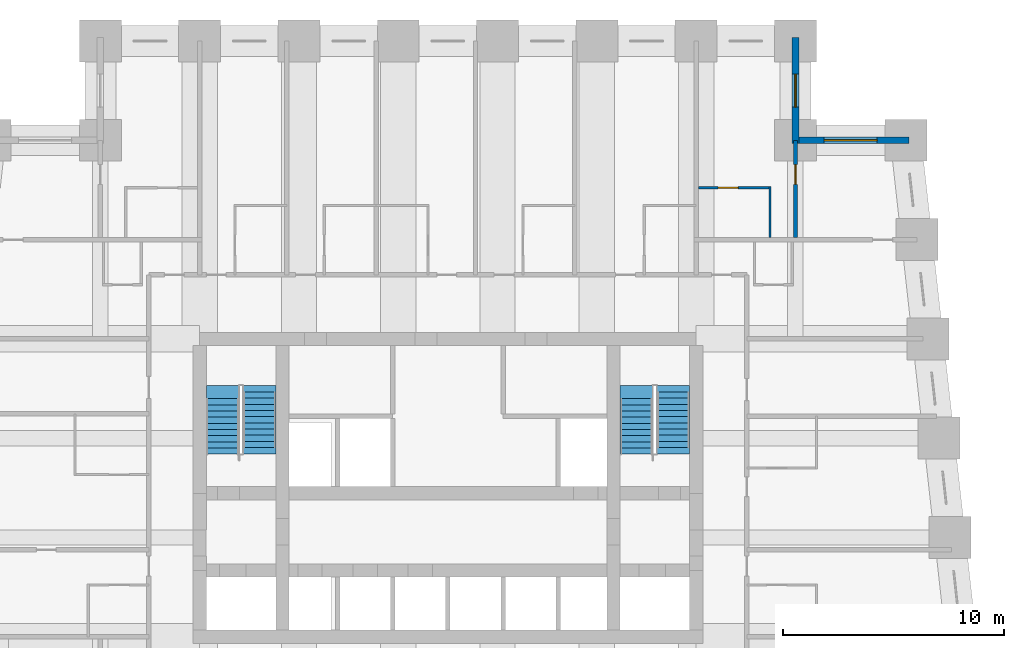
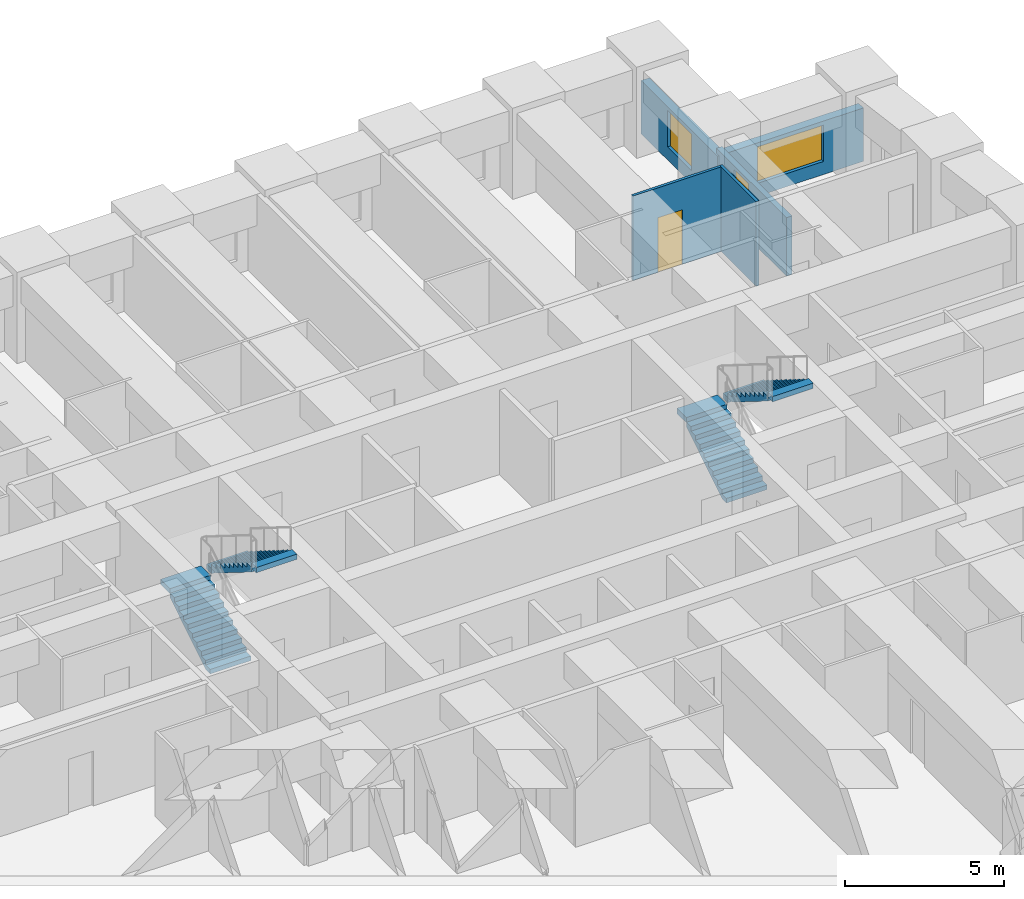
# One storey, part 7 of 8: 5 walls, 4 stair flights, 2 doors, 2 windows, 4 openings, 2 elements without a shape of their own.
"""IFC4 building model written with IfcOpenShell, lengths in metres."""

from ifc_helpers import new_model, si_unit, direction, frame, frame_2d, origin, place, context, subcontext, project, spatial, polyline, rectangle, outline, extrude, material, layer, layer_set, type_object, element, fill, aggregate, save


model = new_model("IFC4")

# Units and contexts
model_context = context("Model", 3, precision=1e-05, world=origin(), true_north=direction((0.0, 1.0)))
body_context = subcontext(model_context, "Body", "Model", "MODEL_VIEW")
ifc_project = project(units=[si_unit("LENGTHUNIT", "METRE"), si_unit("AREAUNIT", "SQUARE_METRE"), si_unit("VOLUMEUNIT", "CUBIC_METRE"), si_unit("PLANEANGLEUNIT", "RADIAN"), si_unit("MASSUNIT", "GRAM", prefix="KILO")], contexts=[model_context])

# Site, building, storey
site_placement = place(None, origin())
site = spatial("IfcSite", under=ifc_project, at=site_placement, CompositionType="ELEMENT")
building_placement = place(site_placement, origin())
building = spatial("IfcBuilding", under=site, at=building_placement, Name="Kilele Tower Hotel", CompositionType="ELEMENT")
storey_placement = place(building_placement, frame((0.0, 0.0, 54.199951171875)))
storey = spatial("IfcBuildingStorey", under=building, at=storey_placement, Name="L12", CompositionType="ELEMENT", Elevation=54.199951171875)

# Wall
ifc_material_1 = material(Name="Moisture-resistant board")
ifc_layer_1 = layer(ifc_material_1, 0.10009765625)
ifc_layer_set_1 = layer_set([ifc_layer_1], Name="Moisture-resistant board")
wall_type_1 = type_object("IfcWallType", Name="Bathroom partition 100", PredefinedType="PLUMBINGWALL", material=ifc_layer_set_1)
wall_1_placement = place(storey_placement, frame((39.35009765625, 31.60009765625, 0.0), z_axis=(0.0, 0.0, 1.0), x_axis=(0.0, 1.0, 0.0)))
element("IfcWall", 1, at=wall_1_placement, inside=storey, type_object=wall_type_1, Name="Bathroom partition 100 L12", PredefinedType="PLUMBINGWALL", context=body_context, shape_type="SweptSolid", body=[
    extrude(rectangle(XDim=2.2998046875, YDim=0.10009765625, at=frame_2d((1.14990234375, 0.0))), origin(), (0.0, 0.0, 1.0), 3.25),
])

# Wall, opening, door
wall_2_placement = place(storey_placement, frame((36.10009765625, 33.85009765625, 0.0), z_axis=(0.0, 0.0, 1.0), x_axis=(1.0, 0.0, 0.0)))
wall_2 = element("IfcWall", 2, at=wall_2_placement, inside=storey, type_object=wall_type_1, Name="Bathroom partition 100 L12", PredefinedType="PLUMBINGWALL", context=body_context, shape_type="SweptSolid", body=[
    extrude(rectangle(XDim=3.2998046875, YDim=0.10009765625, at=frame_2d((1.64990234375, 0.0))), origin(), (0.0, 0.0, 1.0), 3.25),
])
opening_1_placement = place(wall_2_placement, frame((0.89990234375, 0.0, 0.0)))
opening_1 = element("IfcOpeningElement", 3, at=opening_1_placement, cuts=wall_2, Name="Opening D2A", PredefinedType="OPENING", context=body_context, shape_type="SweptSolid", body=[
    extrude(rectangle(XDim=0.89990234375, YDim=2.10009765625, at=frame_2d((0.449951171875, 1.050048828125))), frame((0.0, 0.06005859375, 0.0), z_axis=(0.0, -1.0, 0.0), x_axis=(1.0, 0.0, 0.0)), (0.0, 0.0, 1.0), 0.1201171875),
])
ifc_material_2 = material(Name="Timber door leaf in hardwood frame", Category="wood")
door_type_1 = type_object("IfcDoorType", Name="Bathroom door 900", OperationType="SINGLE_SWING_LEFT", PredefinedType="DOOR", material=ifc_material_2)
door_1_placement = place(opening_1_placement, origin())
door_1 = element("IfcDoor", 4, at=door_1_placement, inside=storey, type_object=door_type_1, Name="Bathroom door 1224B", OperationType="SINGLE_SWING_LEFT", OverallHeight=2.10009765625, OverallWidth=0.89990234375, PredefinedType="DOOR", context=body_context, shape_type="SweptSolid", body=[
    extrude(rectangle(XDim=0.89990234375, YDim=2.10009765625, at=frame_2d((0.449951171875, 1.050048828125))), frame((0.0, 0.02490234375, 0.0), z_axis=(0.0, -1.0, 0.0), x_axis=(1.0, 0.0, 0.0)), (0.0, 0.0, 1.0), 0.050048828125),
])
fill(opening_1, door_1)

ifc_material_3 = material(Name="Blockwork, plastered both sides", Category="masonry")
ifc_layer_2 = layer(ifc_material_3, 0.199951171875)
ifc_layer_set_2 = layer_set([ifc_layer_2], Name="Blockwork, plastered both sides")
wall_type_2 = type_object("IfcWallType", Name="Partition wall 200", PredefinedType="PARTITIONING", material=ifc_layer_set_2)
wall_3_placement = place(storey_placement, frame((40.5, 31.60009765625, 0.0), z_axis=(0.0, 0.0, 1.0), x_axis=(0.0, 1.0, 0.0)))
wall_3 = element("IfcWall", 5, at=wall_3_placement, inside=storey, type_object=wall_type_2, Name="Partition wall 200 L12", PredefinedType="PARTITIONING", context=body_context, shape_type="SweptSolid", body=[
    extrude(rectangle(XDim=4.39990234375, YDim=0.199951171875, at=frame_2d((2.199951171875, 0.0))), origin(), (0.0, 0.0, 1.0), 2.25),
])
opening_2_placement = place(wall_3_placement, frame((2.39990234375, 0.0, 0.0)))
opening_2 = element("IfcOpeningElement", 6, at=opening_2_placement, cuts=wall_3, Name="Opening D3", PredefinedType="OPENING", context=body_context, shape_type="SweptSolid", body=[
    extrude(rectangle(XDim=0.89990234375, YDim=2.10009765625, at=frame_2d((0.449951171875, 1.050048828125))), frame((0.0, 0.10986328125, 0.0), z_axis=(0.0, -1.0, 0.0), x_axis=(1.0, 0.0, 0.0)), (0.0, 0.0, 1.0), 0.219970703125),
])
ifc_material_4 = material(Name="Timber door leaf in hardwood frame", Category="wood")
door_type_2 = type_object("IfcDoorType", Name="Suite internal door 900", OperationType="SINGLE_SWING_LEFT", PredefinedType="DOOR", material=ifc_material_4)
door_2_placement = place(opening_2_placement, origin())
door_2 = element("IfcDoor", 7, at=door_2_placement, inside=storey, type_object=door_type_2, Name="Suite door 1225", OperationType="SINGLE_SWING_RIGHT", OverallHeight=2.10009765625, OverallWidth=0.89990234375, PredefinedType="DOOR", context=body_context, shape_type="SweptSolid", body=[
    extrude(rectangle(XDim=0.89990234375, YDim=2.10009765625, at=frame_2d((0.449951171875, 1.050048828125))), frame((0.0, 0.02490234375, 0.0), z_axis=(0.0, -1.0, 0.0), x_axis=(1.0, 0.0, 0.0)), (0.0, 0.0, 1.0), 0.050048828125),
])
fill(opening_2, door_2)

# Wall, opening, window
ifc_material_5 = material(Name="Concrete C40/50 precast", Category="concrete")
ifc_layer_3 = layer(ifc_material_5, 0.260009765625, Name="Precast backing", Category="LoadBearing")
ifc_material_6 = material(Name="Reconstituted stone finish", Category="masonry")
ifc_layer_4 = layer(ifc_material_6, 0.0400390625, Name="Face mix", Category="Finish")
ifc_layer_set_3 = layer_set([ifc_layer_3, ifc_layer_4], Name="Precast concrete C40/50, reconstituted stone finish")
wall_type_3 = type_object("IfcWallType", Name="Precast stone facade wall 300", PredefinedType="STANDARD", material=ifc_layer_set_3)
wall_4_placement = place(storey_placement, frame((45.64990234375, 36.0, 0.0), z_axis=(0.0, 0.0, 1.0), x_axis=(-1.0, 0.0, 0.0)))
wall_4 = element("IfcWall", 8, at=wall_4_placement, inside=storey, type_object=wall_type_3, Name="Facade wall L12 edge 7", PredefinedType="STANDARD", context=body_context, shape_type="SweptSolid", body=[
    extrude(rectangle(XDim=5.2998046875, YDim=0.300048828125, at=frame_2d((2.64990234375, 0.0))), origin(), (0.0, 0.0, 1.0), 2.050048828125),
])
opening_3_placement = place(wall_4_placement, frame((1.449951171875, 0.0, 0.5)))
opening_3 = element("IfcOpeningElement", 9, at=opening_3_placement, cuts=wall_4, Name="Opening W1", PredefinedType="OPENING", context=body_context, shape_type="SweptSolid", body=[
    extrude(rectangle(XDim=2.39990234375, YDim=1.39990234375, at=frame_2d((1.199951171875, 0.699951171875))), frame((0.0, 0.159912109375, 0.0), z_axis=(0.0, -1.0, 0.0), x_axis=(1.0, 0.0, 0.0)), (0.0, 0.0, 1.0), 0.320068359375),
])
ifc_material_7 = material(Name="Aluminium frame, clear double glazing", Category="aluminium")
window_type_1 = type_object("IfcWindowType", Name="Window W1 2400 x 1400", PartitioningType="SINGLE_PANEL", PredefinedType="WINDOW", material=ifc_material_7)
window_1_placement = place(opening_3_placement, origin())
window_1 = element("IfcWindow", 10, at=window_1_placement, inside=storey, type_object=window_type_1, Name="Window L12", OverallHeight=1.39990234375, OverallWidth=2.39990234375, PartitioningType="SINGLE_PANEL", PredefinedType="WINDOW", context=body_context, shape_type="SweptSolid", body=[
    extrude(rectangle(XDim=2.39990234375, YDim=1.39990234375, at=frame_2d((1.199951171875, 0.699951171875))), frame((0.0, 0.030029296875, 0.0), z_axis=(0.0, -1.0, 0.0), x_axis=(1.0, 0.0, 0.0)), (0.0, 0.0, 1.0), 0.06005859375),
])
fill(opening_3, window_1)

wall_5_placement = place(storey_placement, frame((40.5, 35.85009765625, 0.0), z_axis=(0.0, 0.0, 1.0), x_axis=(0.0, 1.0, 0.0)))
wall_5 = element("IfcWall", 11, at=wall_5_placement, inside=storey, type_object=wall_type_3, Name="Facade wall L12 edge 8", PredefinedType="STANDARD", context=body_context, shape_type="SweptSolid", body=[
    extrude(rectangle(XDim=4.7998046875, YDim=0.300048828125, at=frame_2d((2.39990234375, 0.0))), origin(), (0.0, 0.0, 1.0), 2.050048828125),
])
opening_4_placement = place(wall_5_placement, frame((1.64990234375, 0.0, 0.5)))
opening_4 = element("IfcOpeningElement", 12, at=opening_4_placement, cuts=wall_5, Name="Opening W1", PredefinedType="OPENING", context=body_context, shape_type="SweptSolid", body=[
    extrude(rectangle(XDim=1.5, YDim=1.39990234375, at=frame_2d((0.75, 0.699951171875))), frame((0.0, 0.159912109375, 0.0), z_axis=(0.0, -1.0, 0.0), x_axis=(1.0, 0.0, 0.0)), (0.0, 0.0, 1.0), 0.320068359375),
])
ifc_material_8 = material(Name="Aluminium frame, clear double glazing", Category="aluminium")
window_type_2 = type_object("IfcWindowType", Name="Window W1 1500 x 1400", PartitioningType="SINGLE_PANEL", PredefinedType="WINDOW", material=ifc_material_8)
window_2_placement = place(opening_4_placement, origin())
window_2 = element("IfcWindow", 13, at=window_2_placement, inside=storey, type_object=window_type_2, Name="Window L12", OverallHeight=1.39990234375, OverallWidth=1.5, PartitioningType="SINGLE_PANEL", PredefinedType="WINDOW", context=body_context, shape_type="SweptSolid", body=[
    extrude(rectangle(XDim=1.5, YDim=1.39990234375, at=frame_2d((0.75, 0.699951171875))), frame((0.0, 0.030029296875, 0.0), z_axis=(0.0, -1.0, 0.0), x_axis=(1.0, 0.0, 0.0)), (0.0, 0.0, 1.0), 0.06005859375),
])
fill(opening_4, window_2)

# Stair, stair flights
ifc_material_9 = material(Name="Precast concrete C40/50", Category="concrete")
stair_type = type_object("IfcStairType", Name="Stair 1475 x 3500", PredefinedType="HALF_TURN_STAIR", material=ifc_material_9)
stair_1_placement = place(storey_placement, origin())
stair_1 = element("IfcStair", 14, at=stair_1_placement, inside=storey, type_object=stair_type, Name="Stair 1 L12", PredefinedType="HALF_TURN_STAIR")
ifc_material_10 = material(Name="Precast concrete C40/50", Category="concrete")
stair_flight_type = type_object("IfcStairFlightType", Name="Flight 1475 riser 175.0", PredefinedType="STRAIGHT", material=ifc_material_10)
stair_flight_1_placement = place(storey_placement, frame((14.53759765625, 21.77490234375, 0.0), z_axis=(0.0, 0.0, 1.0), x_axis=(0.0, 1.0, 0.0)))
stair_flight_1 = element("IfcStairFlight", 15, at=stair_flight_1_placement, type_object=stair_flight_type, Name="ST1 flight 1", NumberOfRisers=10, NumberOfTreads=9, PredefinedType="STRAIGHT", RiserHeight=0.175, TreadLength=0.28, context=body_context, shape_type="SweptSolid", body=[
    extrude(outline(polyline([(0.0, 0.0), (0.0, 0.175048828125), (0.280029296875, 0.175048828125), (0.280029296875, 0.35009765625), (0.56005859375, 0.35009765625), (0.56005859375, 0.52490234375), (0.840087890625, 0.52490234375), (0.840087890625, 0.699951171875), (1.1201171875, 0.699951171875), (1.1201171875, 0.875), (1.39990234375, 0.875), (1.39990234375, 1.050048828125), (1.679931640625, 1.050048828125), (1.679931640625, 1.22509765625), (1.9599609375, 1.22509765625), (1.9599609375, 1.39990234375), (2.239990234375, 1.39990234375), (2.239990234375, 1.574951171875), (2.52001953125, 1.574951171875), (2.52001953125, 1.75), (2.52001953125, 1.398193359375), (0.28271484375, 0.0), (0.0, 0.0)])), frame((0.0, 0.737548828125, 0.0), z_axis=(0.0, -1.0, 0.0), x_axis=(1.0, 0.0, 0.0)), (0.0, 0.0, 1.0), 1.47509765625),
    extrude(outline(polyline([(2.52001953125, 0.737548828125), (2.52001953125, -0.7373046875), (3.1201171875, -0.7373046875), (3.1201171875, 0.737548828125), (2.52001953125, 0.737548828125)])), frame((0.0, 0.0, 1.550048828125)), (0.0, 0.0, 1.0), 0.199951171875),
])
stair_flight_2_placement = place(storey_placement, frame((16.21240234375, 24.594970703125, 1.75), z_axis=(0.0, 0.0, 1.0), x_axis=(0.0, -1.0, 0.0)))
stair_flight_2 = element("IfcStairFlight", 16, at=stair_flight_2_placement, type_object=stair_flight_type, Name="ST1 flight 2", NumberOfRisers=10, NumberOfTreads=9, PredefinedType="STRAIGHT", RiserHeight=0.175, TreadLength=0.28, context=body_context, shape_type="SweptSolid", body=[
    extrude(outline(polyline([(0.0, 0.0), (0.0, 0.175048828125), (0.280029296875, 0.175048828125), (0.280029296875, 0.35009765625), (0.56005859375, 0.35009765625), (0.56005859375, 0.52490234375), (0.840087890625, 0.52490234375), (0.840087890625, 0.699951171875), (1.1201171875, 0.699951171875), (1.1201171875, 0.875), (1.39990234375, 0.875), (1.39990234375, 1.050048828125), (1.679931640625, 1.050048828125), (1.679931640625, 1.22509765625), (1.9599609375, 1.22509765625), (1.9599609375, 1.39990234375), (2.239990234375, 1.39990234375), (2.239990234375, 1.574951171875), (2.52001953125, 1.574951171875), (2.52001953125, 1.75), (2.52001953125, 1.398193359375), (0.28271484375, 0.0), (0.0, 0.0)])), frame((0.0, 0.737548828125, 0.0), z_axis=(0.0, -1.0, 0.0), x_axis=(1.0, 0.0, 0.0)), (0.0, 0.0, 1.0), 1.47509765625),
    extrude(outline(polyline([(0.0, -0.7373046875), (0.0, 0.737548828125), (-0.300048828125, 0.737548828125), (-0.300048828125, -0.7373046875), (0.0, -0.7373046875)])), frame((0.0, 0.0, -0.199951171875)), (0.0, 0.0, 1.0), 0.199951171875),
    extrude(outline(polyline([(2.820068359375, -0.7373046875), (2.820068359375, 0.737548828125), (2.52001953125, 0.737548828125), (2.52001953125, -0.7373046875), (2.820068359375, -0.7373046875)])), frame((0.0, 0.0, 1.550048828125)), (0.0, 0.0, 1.0), 0.199951171875),
])
aggregate(stair_1, [stair_flight_1, stair_flight_2])

stair_2_placement = place(storey_placement, origin())
stair_2 = element("IfcStair", 17, at=stair_2_placement, inside=storey, type_object=stair_type, Name="Stair 2 L12", PredefinedType="HALF_TURN_STAIR")
stair_flight_3_placement = place(storey_placement, frame((33.28759765625, 21.77490234375, 0.0), z_axis=(0.0, 0.0, 1.0), x_axis=(0.0, 1.0, 0.0)))
stair_flight_3 = element("IfcStairFlight", 18, at=stair_flight_3_placement, type_object=stair_flight_type, Name="ST2 flight 1", NumberOfRisers=10, NumberOfTreads=9, PredefinedType="STRAIGHT", RiserHeight=0.175, TreadLength=0.28, context=body_context, shape_type="SweptSolid", body=[
    extrude(outline(polyline([(0.0, 0.0), (0.0, 0.175048828125), (0.280029296875, 0.175048828125), (0.280029296875, 0.35009765625), (0.56005859375, 0.35009765625), (0.56005859375, 0.52490234375), (0.840087890625, 0.52490234375), (0.840087890625, 0.699951171875), (1.1201171875, 0.699951171875), (1.1201171875, 0.875), (1.39990234375, 0.875), (1.39990234375, 1.050048828125), (1.679931640625, 1.050048828125), (1.679931640625, 1.22509765625), (1.9599609375, 1.22509765625), (1.9599609375, 1.39990234375), (2.239990234375, 1.39990234375), (2.239990234375, 1.574951171875), (2.52001953125, 1.574951171875), (2.52001953125, 1.75), (2.52001953125, 1.398193359375), (0.28271484375, 0.0), (0.0, 0.0)])), frame((0.0, 0.737548828125, 0.0), z_axis=(0.0, -1.0, 0.0), x_axis=(1.0, 0.0, 0.0)), (0.0, 0.0, 1.0), 1.47509765625),
    extrude(outline(polyline([(2.52001953125, 0.737548828125), (2.52001953125, -0.7373046875), (3.1201171875, -0.7373046875), (3.1201171875, 0.737548828125), (2.52001953125, 0.737548828125)])), frame((0.0, 0.0, 1.550048828125)), (0.0, 0.0, 1.0), 0.199951171875),
])
stair_flight_4_placement = place(storey_placement, frame((34.96240234375, 24.594970703125, 1.75), z_axis=(0.0, 0.0, 1.0), x_axis=(0.0, -1.0, 0.0)))
stair_flight_4 = element("IfcStairFlight", 19, at=stair_flight_4_placement, type_object=stair_flight_type, Name="ST2 flight 2", NumberOfRisers=10, NumberOfTreads=9, PredefinedType="STRAIGHT", RiserHeight=0.175, TreadLength=0.28, context=body_context, shape_type="SweptSolid", body=[
    extrude(outline(polyline([(0.0, 0.0), (0.0, 0.175048828125), (0.280029296875, 0.175048828125), (0.280029296875, 0.35009765625), (0.56005859375, 0.35009765625), (0.56005859375, 0.52490234375), (0.840087890625, 0.52490234375), (0.840087890625, 0.699951171875), (1.1201171875, 0.699951171875), (1.1201171875, 0.875), (1.39990234375, 0.875), (1.39990234375, 1.050048828125), (1.679931640625, 1.050048828125), (1.679931640625, 1.22509765625), (1.9599609375, 1.22509765625), (1.9599609375, 1.39990234375), (2.239990234375, 1.39990234375), (2.239990234375, 1.574951171875), (2.52001953125, 1.574951171875), (2.52001953125, 1.75), (2.52001953125, 1.398193359375), (0.28271484375, 0.0), (0.0, 0.0)])), frame((0.0, 0.737548828125, 0.0), z_axis=(0.0, -1.0, 0.0), x_axis=(1.0, 0.0, 0.0)), (0.0, 0.0, 1.0), 1.47509765625),
    extrude(outline(polyline([(0.0, -0.7373046875), (0.0, 0.737548828125), (-0.300048828125, 0.737548828125), (-0.300048828125, -0.7373046875), (0.0, -0.7373046875)])), frame((0.0, 0.0, -0.199951171875)), (0.0, 0.0, 1.0), 0.199951171875),
    extrude(outline(polyline([(2.820068359375, -0.7373046875), (2.820068359375, 0.737548828125), (2.52001953125, 0.737548828125), (2.52001953125, -0.7373046875), (2.820068359375, -0.7373046875)])), frame((0.0, 0.0, 1.550048828125)), (0.0, 0.0, 1.0), 0.199951171875),
])
aggregate(stair_2, [stair_flight_3, stair_flight_4])

save(model, "model.ifc")
